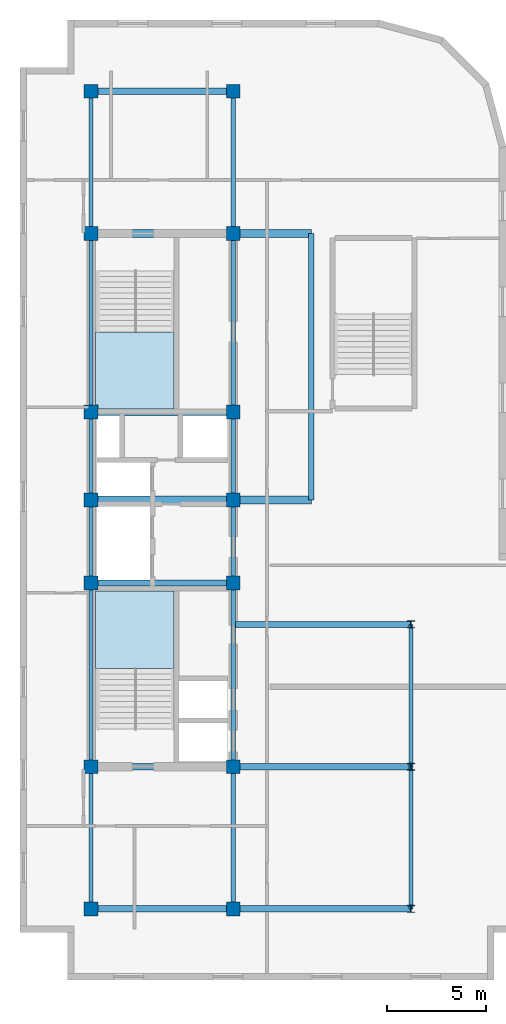
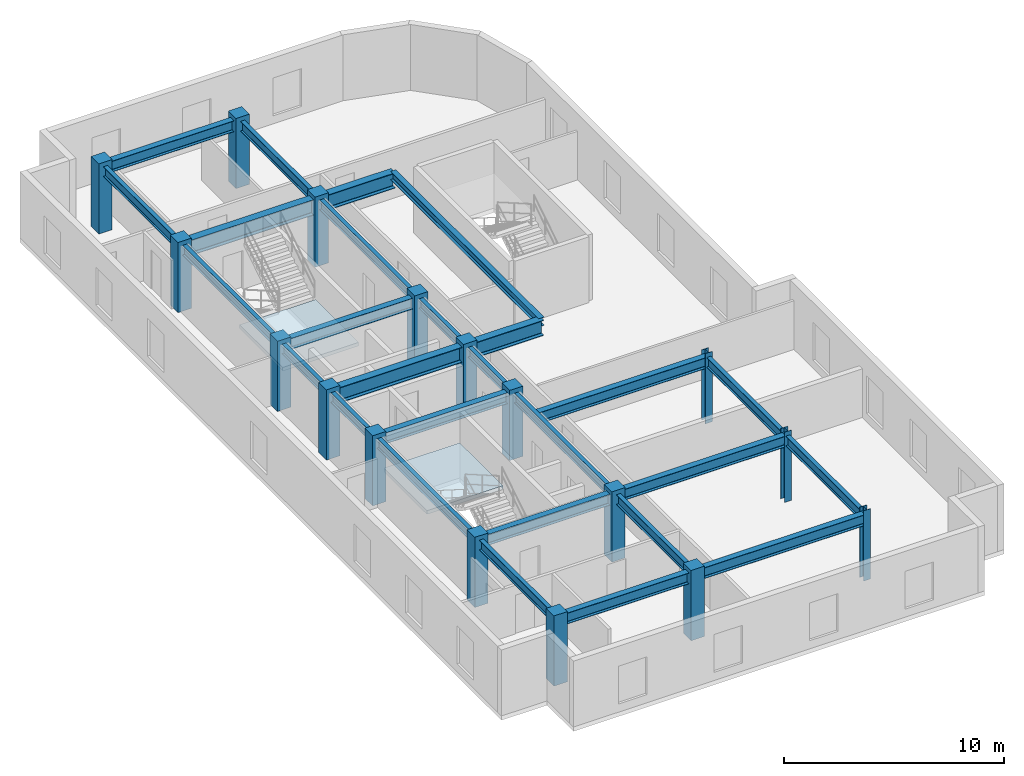
# One storey, part 1 of 5: 25 beams, 17 columns, 2 slabs, 2 elements without a shape of their own.
"""IFC4 building model written with IfcOpenShell, lengths in metres."""

from ifc_helpers import new_model, entity, si_unit, converted_unit, direction, frame, origin_with_axes, origin_2d_with_axis, place, context, subcontext, project, spatial, polyline, rectangle, i_section, outline, extrude, material, layer, layer_set, material_profile, profile_set, type_object, element, aggregate, save


model = new_model("IFC4")

# Units and contexts
model_context = context("Model", 3, precision=1e-05, world=origin_with_axes(), true_north=direction((0.0, 1.0)))
body_context = subcontext(model_context, "Body", "Model", "MODEL_VIEW")
ifc_project = project(units=[si_unit("LENGTHUNIT", "METRE"), si_unit("AREAUNIT", "SQUARE_METRE"), si_unit("VOLUMEUNIT", "CUBIC_METRE"), converted_unit("PLANEANGLEUNIT", "DEGREE", entity("IfcPlaneAngleMeasure", 0.017453292519943295), si_unit("PLANEANGLEUNIT", "RADIAN"), dimensions=[0, 0, 0, 0, 0, 0, 0]), si_unit("MASSUNIT", "GRAM", prefix="KILO"), si_unit("THERMODYNAMICTEMPERATUREUNIT", "KELVIN")], contexts=[model_context])

# Site, building, storey
site_placement = place(None, origin_with_axes())
site = spatial("IfcSite", under=ifc_project, at=site_placement, CompositionType="ELEMENT")
building_placement = place(site_placement, origin_with_axes())
building = spatial("IfcBuilding", under=site, at=building_placement, Name="Varnlund Millrace Tower", CompositionType="ELEMENT")
storey_placement = place(building_placement, frame((0.0, 0.0, 291.9), z_axis=(0.0, 0.0, 1.0), x_axis=(1.0, 0.0, 0.0)))
storey = spatial("IfcBuildingStorey", under=building, at=storey_placement, Name="L72", CompositionType="ELEMENT", Elevation=291.9)

# Columns
ifc_material_1 = material(Name="Steel ASTM A992 Grade 50", Category="steel")
ifc_material_profile_1 = material_profile(ifc_material_1, i_section(OverallWidth=0.369, OverallDepth=0.356, WebThickness=0.0112, FlangeThickness=0.018, FilletRadius=0.018, at=origin_2d_with_axis()), Name="Steel ASTM A992 Grade 50")
ifc_profile_set_1 = profile_set([ifc_material_profile_1], Name="Steel ASTM A992 Grade 50")
column_type_1 = type_object("IfcColumnType", Name="Type-Col-Int-W14X90", PredefinedType="COLUMN", material=ifc_profile_set_1)
for number, where, z_axis, x_axis, name in (
    (1, (27.6, 3.6, 0.0), (0.0, 0.0, 1.0), (1.0, 0.0, 0.0), "Type-Col-Int-W14X90"),
    (2, (27.6, 10.8, 0.0), (0.0, 0.0, 1.0), (1.0, 0.0, 0.0), "Type-Col-Int-W14X90"),
    (3, (27.6, 18.0, 0.0), (0.0, 0.0, 1.0), (1.0, 0.0, 0.0), "Type-Col-Int-W14X90"),
):
    element("IfcColumn", number, at=place(storey_placement, frame(where, z_axis=z_axis, x_axis=x_axis)), inside=storey, type_object=column_type_1, Name=name, PredefinedType="COLUMN", context=body_context, shape_type="SweptSolid", body=[
        extrude(i_section(OverallWidth=0.369, OverallDepth=0.356, WebThickness=0.0112, FlangeThickness=0.018, FilletRadius=0.018, at=origin_2d_with_axis()), origin_with_axes(), (0.0, 0.0, 1.0), 3.9),
    ])
ifc_material_2 = material(Name="Concrete C60/75", Category="concrete")
ifc_material_profile_2 = material_profile(ifc_material_2, rectangle(XDim=0.7, YDim=0.7, at=origin_2d_with_axis()), Name="Concrete C60/75")
ifc_profile_set_2 = profile_set([ifc_material_profile_2], Name="Concrete C60/75")
column_type_2 = type_object("IfcColumnType", Name="Type-Col-RC700-C60", PredefinedType="COLUMN", material=ifc_profile_set_2)
for number, where, z_axis, x_axis, name in (
    (4, (11.4, 3.6, 0.0), (0.0, 0.0, 1.0), (1.0, 0.0, 0.0), "Type-Col-RC700-C60"),
    (5, (11.4, 10.8, 0.0), (0.0, 0.0, 1.0), (1.0, 0.0, 0.0), "Type-Col-RC700-C60"),
    (6, (11.4, 20.1, 0.0), (0.0, 0.0, 1.0), (1.0, 0.0, 0.0), "Type-Col-RC700-C60"),
    (7, (11.4, 24.3, 0.0), (0.0, 0.0, 1.0), (1.0, 0.0, 0.0), "Type-Col-RC700-C60"),
    (8, (11.4, 28.75, 0.0), (0.0, 0.0, 1.0), (1.0, 0.0, 0.0), "Type-Col-RC700-C60"),
    (9, (11.4, 37.8, 0.0), (0.0, 0.0, 1.0), (1.0, 0.0, 0.0), "Type-Col-RC700-C60"),
    (10, (11.4, 45.0, 0.0), (0.0, 0.0, 1.0), (1.0, 0.0, 0.0), "Type-Col-RC700-C60"),
    (11, (18.6, 3.6, 0.0), (0.0, 0.0, 1.0), (1.0, 0.0, 0.0), "Type-Col-RC700-C60"),
    (12, (18.6, 10.8, 0.0), (0.0, 0.0, 1.0), (1.0, 0.0, 0.0), "Type-Col-RC700-C60"),
    (13, (18.6, 20.1, 0.0), (0.0, 0.0, 1.0), (1.0, 0.0, 0.0), "Type-Col-RC700-C60"),
    (14, (18.6, 24.3, 0.0), (0.0, 0.0, 1.0), (1.0, 0.0, 0.0), "Type-Col-RC700-C60"),
    (15, (18.6, 28.75, 0.0), (0.0, 0.0, 1.0), (1.0, 0.0, 0.0), "Type-Col-RC700-C60"),
    (16, (18.6, 37.8, 0.0), (0.0, 0.0, 1.0), (1.0, 0.0, 0.0), "Type-Col-RC700-C60"),
    (17, (18.6, 45.0, 0.0), (0.0, 0.0, 1.0), (1.0, 0.0, 0.0), "Type-Col-RC700-C60"),
):
    element("IfcColumn", number, at=place(storey_placement, frame(where, z_axis=z_axis, x_axis=x_axis)), inside=storey, type_object=column_type_2, Name=name, PredefinedType="COLUMN", context=body_context, shape_type="SweptSolid", body=[
        extrude(rectangle(XDim=0.7, YDim=0.7, at=origin_2d_with_axis()), origin_with_axes(), (0.0, 0.0, 1.0), 3.9),
    ])

# Beams
ifc_material_profile_3 = material_profile(ifc_material_1, i_section(OverallWidth=0.28, OverallDepth=0.463, WebThickness=0.0108, FlangeThickness=0.0173, FilletRadius=0.015, at=origin_2d_with_axis()), Name="Steel ASTM A992 Grade 50")
ifc_profile_set_3 = profile_set([ifc_material_profile_3], Name="Steel ASTM A992 Grade 50")
beam_type_1 = type_object("IfcBeamType", Name="Type-Beam-W18X76", PredefinedType="BEAM", material=ifc_profile_set_3)
beam_1_placement = place(storey_placement, frame((22.55, 24.3, 3.4285), z_axis=(0.0, 1.0, 0.0), x_axis=(-1.0, 0.0, 0.0)))
element("IfcBeam", 18, at=beam_1_placement, inside=storey, type_object=beam_type_1, Name="Type-Beam-W18X76", PredefinedType="BEAM", context=body_context, shape_type="SweptSolid", body=[
    extrude(i_section(OverallWidth=0.28, OverallDepth=0.463, WebThickness=0.0108, FlangeThickness=0.0173, FilletRadius=0.015, at=origin_2d_with_axis()), origin_with_axes(), (0.0, 0.0, 1.0), 13.5),
])
ifc_material_profile_4 = material_profile(ifc_material_1, i_section(OverallWidth=0.214, OverallDepth=0.549, WebThickness=0.0147, FlangeThickness=0.0236, FilletRadius=0.015, at=origin_2d_with_axis()), Name="Steel ASTM A992 Grade 50")
ifc_profile_set_4 = profile_set([ifc_material_profile_4], Name="Steel ASTM A992 Grade 50")
beam_type_2 = type_object("IfcBeamType", Name="Type-Beam-W21X93", PredefinedType="BEAM", material=ifc_profile_set_4)
beam_2_placement = place(storey_placement, frame((11.4, 3.6, 3.3855), z_axis=(0.0, 1.0, 0.0), x_axis=(-1.0, 0.0, 0.0)))
element("IfcBeam", 19, at=beam_2_placement, inside=storey, type_object=beam_type_2, Name="Type-Beam-W21X93", PredefinedType="BEAM", context=body_context, shape_type="SweptSolid", body=[
    extrude(i_section(OverallWidth=0.214, OverallDepth=0.549, WebThickness=0.0147, FlangeThickness=0.0236, FilletRadius=0.015, at=origin_2d_with_axis()), origin_with_axes(), (0.0, 0.0, 1.0), 7.2),
])
beam_3_placement = place(storey_placement, frame((11.4, 10.8, 3.3855), z_axis=(0.0, 1.0, 0.0), x_axis=(-1.0, 0.0, 0.0)))
element("IfcBeam", 20, at=beam_3_placement, inside=storey, type_object=beam_type_2, Name="Type-Beam-W21X93", PredefinedType="BEAM", context=body_context, shape_type="SweptSolid", body=[
    extrude(i_section(OverallWidth=0.214, OverallDepth=0.549, WebThickness=0.0147, FlangeThickness=0.0236, FilletRadius=0.015, at=origin_2d_with_axis()), origin_with_axes(), (0.0, 0.0, 1.0), 9.3),
])
beam_4_placement = place(storey_placement, frame((11.4, 20.1, 3.3855), z_axis=(0.0, 1.0, 0.0), x_axis=(-1.0, 0.0, 0.0)))
element("IfcBeam", 21, at=beam_4_placement, inside=storey, type_object=beam_type_2, Name="Type-Beam-W21X93", PredefinedType="BEAM", context=body_context, shape_type="SweptSolid", body=[
    extrude(i_section(OverallWidth=0.214, OverallDepth=0.549, WebThickness=0.0147, FlangeThickness=0.0236, FilletRadius=0.015, at=origin_2d_with_axis()), origin_with_axes(), (0.0, 0.0, 1.0), 4.2),
])
beam_5_placement = place(storey_placement, frame((11.4, 24.3, 3.3855), z_axis=(0.0, 1.0, 0.0), x_axis=(-1.0, 0.0, 0.0)))
element("IfcBeam", 22, at=beam_5_placement, inside=storey, type_object=beam_type_2, Name="Type-Beam-W21X93", PredefinedType="BEAM", context=body_context, shape_type="SweptSolid", body=[
    extrude(i_section(OverallWidth=0.214, OverallDepth=0.549, WebThickness=0.0147, FlangeThickness=0.0236, FilletRadius=0.015, at=origin_2d_with_axis()), origin_with_axes(), (0.0, 0.0, 1.0), 4.45),
])
beam_6_placement = place(storey_placement, frame((11.4, 28.75, 3.3855), z_axis=(0.0, 1.0, 0.0), x_axis=(-1.0, 0.0, 0.0)))
element("IfcBeam", 23, at=beam_6_placement, inside=storey, type_object=beam_type_2, Name="Type-Beam-W21X93", PredefinedType="BEAM", context=body_context, shape_type="SweptSolid", body=[
    extrude(i_section(OverallWidth=0.214, OverallDepth=0.549, WebThickness=0.0147, FlangeThickness=0.0236, FilletRadius=0.015, at=origin_2d_with_axis()), origin_with_axes(), (0.0, 0.0, 1.0), 9.05),
])
for number, where, z_axis, x_axis, name in (
    (24, (11.4, 37.8, 3.3855), (0.0, 1.0, 0.0), (-1.0, 0.0, 0.0), "Type-Beam-W21X93"),
    (25, (18.6, 3.6, 3.3855), (0.0, 1.0, 0.0), (-1.0, 0.0, 0.0), "Type-Beam-W21X93"),
):
    element("IfcBeam", number, at=place(storey_placement, frame(where, z_axis=z_axis, x_axis=x_axis)), inside=storey, type_object=beam_type_2, Name=name, PredefinedType="BEAM", context=body_context, shape_type="SweptSolid", body=[
        extrude(i_section(OverallWidth=0.214, OverallDepth=0.549, WebThickness=0.0147, FlangeThickness=0.0236, FilletRadius=0.015, at=origin_2d_with_axis()), origin_with_axes(), (0.0, 0.0, 1.0), 7.2),
    ])
beam_7_placement = place(storey_placement, frame((18.6, 10.8, 3.3855), z_axis=(0.0, 1.0, 0.0), x_axis=(-1.0, 0.0, 0.0)))
element("IfcBeam", 26, at=beam_7_placement, inside=storey, type_object=beam_type_2, Name="Type-Beam-W21X93", PredefinedType="BEAM", context=body_context, shape_type="SweptSolid", body=[
    extrude(i_section(OverallWidth=0.214, OverallDepth=0.549, WebThickness=0.0147, FlangeThickness=0.0236, FilletRadius=0.015, at=origin_2d_with_axis()), origin_with_axes(), (0.0, 0.0, 1.0), 9.3),
])
beam_8_placement = place(storey_placement, frame((18.6, 20.1, 3.3855), z_axis=(0.0, 1.0, 0.0), x_axis=(-1.0, 0.0, 0.0)))
element("IfcBeam", 27, at=beam_8_placement, inside=storey, type_object=beam_type_2, Name="Type-Beam-W21X93", PredefinedType="BEAM", context=body_context, shape_type="SweptSolid", body=[
    extrude(i_section(OverallWidth=0.214, OverallDepth=0.549, WebThickness=0.0147, FlangeThickness=0.0236, FilletRadius=0.015, at=origin_2d_with_axis()), origin_with_axes(), (0.0, 0.0, 1.0), 4.2),
])
beam_9_placement = place(storey_placement, frame((18.6, 24.3, 3.3855), z_axis=(0.0, 1.0, 0.0), x_axis=(-1.0, 0.0, 0.0)))
element("IfcBeam", 28, at=beam_9_placement, inside=storey, type_object=beam_type_2, Name="Type-Beam-W21X93", PredefinedType="BEAM", context=body_context, shape_type="SweptSolid", body=[
    extrude(i_section(OverallWidth=0.214, OverallDepth=0.549, WebThickness=0.0147, FlangeThickness=0.0236, FilletRadius=0.015, at=origin_2d_with_axis()), origin_with_axes(), (0.0, 0.0, 1.0), 4.45),
])
beam_10_placement = place(storey_placement, frame((18.6, 28.75, 3.3855), z_axis=(0.0, 1.0, 0.0), x_axis=(-1.0, 0.0, 0.0)))
element("IfcBeam", 29, at=beam_10_placement, inside=storey, type_object=beam_type_2, Name="Type-Beam-W21X93", PredefinedType="BEAM", context=body_context, shape_type="SweptSolid", body=[
    extrude(i_section(OverallWidth=0.214, OverallDepth=0.549, WebThickness=0.0147, FlangeThickness=0.0236, FilletRadius=0.015, at=origin_2d_with_axis()), origin_with_axes(), (0.0, 0.0, 1.0), 9.05),
])
for number, where, z_axis, x_axis, name in (
    (30, (18.6, 37.8, 3.3855), (0.0, 1.0, 0.0), (-1.0, 0.0, 0.0), "Type-Beam-W21X93"),
    (31, (27.6, 3.6, 3.3855), (0.0, 1.0, 0.0), (-1.0, 0.0, 0.0), "Type-Beam-W21X93"),
    (32, (27.6, 10.8, 3.3855), (0.0, 1.0, 0.0), (-1.0, 0.0, 0.0), "Type-Beam-W21X93"),
):
    element("IfcBeam", number, at=place(storey_placement, frame(where, z_axis=z_axis, x_axis=x_axis)), inside=storey, type_object=beam_type_2, Name=name, PredefinedType="BEAM", context=body_context, shape_type="SweptSolid", body=[
        extrude(i_section(OverallWidth=0.214, OverallDepth=0.549, WebThickness=0.0147, FlangeThickness=0.0236, FilletRadius=0.015, at=origin_2d_with_axis()), origin_with_axes(), (0.0, 0.0, 1.0), 7.2),
    ])
ifc_material_profile_5 = material_profile(ifc_material_1, i_section(OverallWidth=0.324, OverallDepth=0.611, WebThickness=0.0127, FlangeThickness=0.0191, FilletRadius=0.016, at=origin_2d_with_axis()), Name="Steel ASTM A992 Grade 50")
ifc_profile_set_5 = profile_set([ifc_material_profile_5], Name="Steel ASTM A992 Grade 50")
beam_type_3 = type_object("IfcBeamType", Name="Type-Girder-W24X104", PredefinedType="USERDEFINED", material=ifc_profile_set_5)
beam_11_placement = place(storey_placement, frame((11.4, 3.6, 3.3545), z_axis=(1.0, 0.0, 0.0), x_axis=(0.0, 1.0, 0.0)))
element("IfcBeam", 33, at=beam_11_placement, inside=storey, type_object=beam_type_3, Name="Type-Girder-W24X104", ObjectType="GIRDER", PredefinedType="USERDEFINED", context=body_context, shape_type="SweptSolid", body=[
    extrude(i_section(OverallWidth=0.324, OverallDepth=0.611, WebThickness=0.0127, FlangeThickness=0.0191, FilletRadius=0.016, at=origin_2d_with_axis()), origin_with_axes(), (0.0, 0.0, 1.0), 7.2),
])
beam_12_placement = place(storey_placement, frame((18.6, 3.6, 3.3545), z_axis=(1.0, 0.0, 0.0), x_axis=(0.0, 1.0, 0.0)))
element("IfcBeam", 34, at=beam_12_placement, inside=storey, type_object=beam_type_3, Name="Type-Girder-W24X104", ObjectType="GIRDER", PredefinedType="USERDEFINED", context=body_context, shape_type="SweptSolid", body=[
    extrude(i_section(OverallWidth=0.324, OverallDepth=0.611, WebThickness=0.0127, FlangeThickness=0.0191, FilletRadius=0.016, at=origin_2d_with_axis()), origin_with_axes(), (0.0, 0.0, 1.0), 9.0),
])
beam_13_placement = place(storey_placement, frame((11.4, 10.8, 3.3545), z_axis=(1.0, 0.0, 0.0), x_axis=(0.0, 1.0, 0.0)))
element("IfcBeam", 35, at=beam_13_placement, inside=storey, type_object=beam_type_3, Name="Type-Girder-W24X104", ObjectType="GIRDER", PredefinedType="USERDEFINED", context=body_context, shape_type="SweptSolid", body=[
    extrude(i_section(OverallWidth=0.324, OverallDepth=0.611, WebThickness=0.0127, FlangeThickness=0.0191, FilletRadius=0.016, at=origin_2d_with_axis()), origin_with_axes(), (0.0, 0.0, 1.0), 7.2),
])
for number, where, z_axis, x_axis, name in (
    (36, (18.6, 10.8, 3.3545), (1.0, 0.0, 0.0), (0.0, 1.0, 0.0), "Type-Girder-W24X104"),
    (37, (18.6, 18.0, 3.3545), (1.0, 0.0, 0.0), (0.0, 1.0, 0.0), "Type-Girder-W24X104"),
):
    element("IfcBeam", number, at=place(storey_placement, frame(where, z_axis=z_axis, x_axis=x_axis)), inside=storey, type_object=beam_type_3, Name=name, ObjectType="GIRDER", PredefinedType="USERDEFINED", context=body_context, shape_type="SweptSolid", body=[
        extrude(i_section(OverallWidth=0.324, OverallDepth=0.611, WebThickness=0.0127, FlangeThickness=0.0191, FilletRadius=0.016, at=origin_2d_with_axis()), origin_with_axes(), (0.0, 0.0, 1.0), 9.0),
    ])
for number, where, z_axis, x_axis, name in (
    (38, (11.4, 20.1, 3.3545), (1.0, 0.0, 0.0), (0.0, 1.0, 0.0), "Type-Girder-W24X104"),
    (39, (11.4, 28.75, 3.3545), (1.0, 0.0, 0.0), (0.0, 1.0, 0.0), "Type-Girder-W24X104"),
    (40, (11.4, 45.0, 3.3545), (1.0, 0.0, 0.0), (0.0, 1.0, 0.0), "Type-Girder-W24X104"),
):
    element("IfcBeam", number, at=place(storey_placement, frame(where, z_axis=z_axis, x_axis=x_axis)), inside=storey, type_object=beam_type_3, Name=name, ObjectType="GIRDER", PredefinedType="USERDEFINED", context=body_context, shape_type="SweptSolid", body=[
        extrude(i_section(OverallWidth=0.324, OverallDepth=0.611, WebThickness=0.0127, FlangeThickness=0.0191, FilletRadius=0.016, at=origin_2d_with_axis()), origin_with_axes(), (0.0, 0.0, 1.0), 7.2),
    ])
ifc_material_profile_6 = material_profile(ifc_material_1, i_section(OverallWidth=0.399, OverallDepth=0.855, WebThickness=0.0182, FlangeThickness=0.0292, FilletRadius=0.022, at=origin_2d_with_axis()), Name="Steel ASTM A992 Grade 50")
ifc_profile_set_6 = profile_set([ifc_material_profile_6], Name="Steel ASTM A992 Grade 50")
beam_type_4 = type_object("IfcBeamType", Name="Type-Girder-W33X201", PredefinedType="USERDEFINED", material=ifc_profile_set_6)
for number, where, z_axis, x_axis, name in (
    (41, (11.4, 24.3, 3.2325), (1.0, 0.0, 0.0), (0.0, 1.0, 0.0), "Type-Girder-W33X201"),
    (42, (11.4, 37.8, 3.2325), (1.0, 0.0, 0.0), (0.0, 1.0, 0.0), "Type-Girder-W33X201"),
):
    element("IfcBeam", number, at=place(storey_placement, frame(where, z_axis=z_axis, x_axis=x_axis)), inside=storey, type_object=beam_type_4, Name=name, ObjectType="GIRDER", PredefinedType="USERDEFINED", context=body_context, shape_type="SweptSolid", body=[
        extrude(i_section(OverallWidth=0.399, OverallDepth=0.855, WebThickness=0.0182, FlangeThickness=0.0292, FilletRadius=0.022, at=origin_2d_with_axis()), origin_with_axes(), (0.0, 0.0, 1.0), 11.15),
    ])

# Stair, slab
ifc_material_3 = material(Name="Concrete C50/60", Category="concrete")
stair_type = type_object("IfcStairType", Name="Type-Stair-Dogleg-185-390", PredefinedType="HALF_TURN_STAIR", material=ifc_material_3)
stair_1_placement = place(storey_placement, origin_with_axes())
stair_1 = element("IfcStair", 43, at=stair_1_placement, inside=storey, type_object=stair_type, Name="Type-Stair-Dogleg-185-390", PredefinedType="HALF_TURN_STAIR")
ifc_layer = layer(ifc_material_3, 0.2, Name="Concrete C50/60")
ifc_layer_set = layer_set([ifc_layer], Name="Concrete C50/60")
slab_type = type_object("IfcSlabType", Name="Type-StairLanding-200", PredefinedType="LANDING", material=ifc_layer_set)
slab_1_placement = place(storey_placement, frame((0.0, 0.0, 1.75), z_axis=(0.0, 0.0, 1.0), x_axis=(1.0, 0.0, 0.0)))
slab_1 = element("IfcSlab", 44, at=slab_1_placement, type_object=slab_type, Name="ST-A1 landing 1", PredefinedType="LANDING", context=body_context, shape_type="SweptSolid", body=[
    extrude(outline(polyline([(15.6, 15.78), (15.6, 19.7), (11.61, 19.7), (11.61, 15.78), (15.6, 15.78)])), origin_with_axes(), (0.0, 0.0, 1.0), 0.2),
])
aggregate(stair_1, [slab_1])

stair_2_placement = place(storey_placement, origin_with_axes())
stair_2 = element("IfcStair", 45, at=stair_2_placement, inside=storey, type_object=stair_type, Name="Type-Stair-Dogleg-185-390", PredefinedType="HALF_TURN_STAIR")
slab_2_placement = place(storey_placement, frame((0.0, 0.0, 1.75), z_axis=(0.0, 0.0, 1.0), x_axis=(1.0, 0.0, 0.0)))
slab_2 = element("IfcSlab", 46, at=slab_2_placement, type_object=slab_type, Name="ST-A2 landing 1", PredefinedType="LANDING", context=body_context, shape_type="SweptSolid", body=[
    extrude(outline(polyline([(11.61, 32.82), (11.61, 28.9), (15.6, 28.9), (15.6, 32.82), (11.61, 32.82)])), origin_with_axes(), (0.0, 0.0, 1.0), 0.2),
])
aggregate(stair_2, [slab_2])

save(model, "model.ifc")
